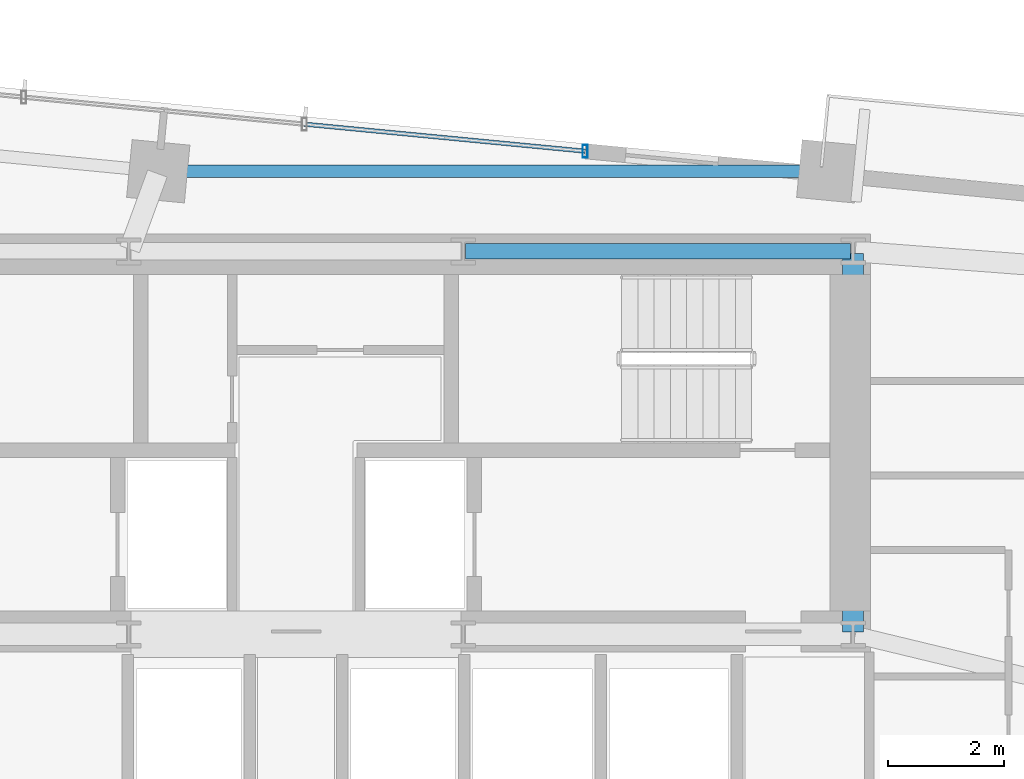
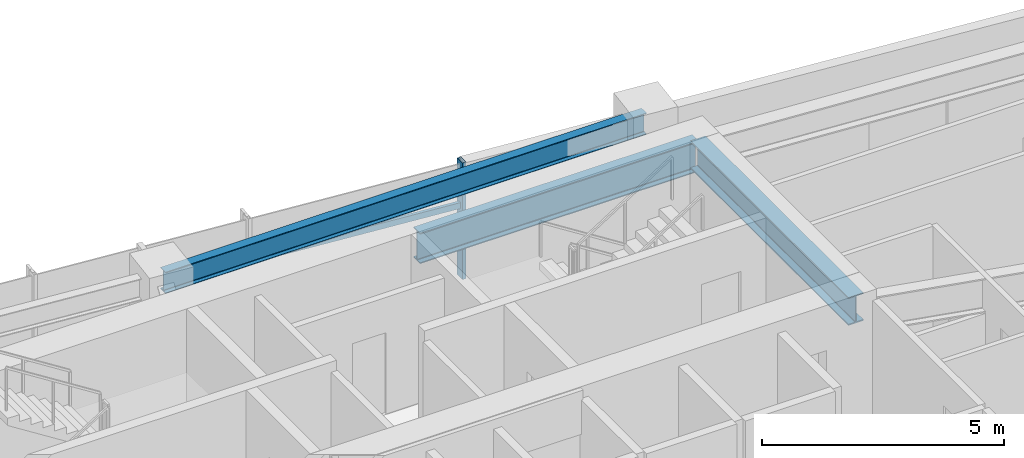
# One storey, part 12 of 20: 3 beams, 2 members, 1 element without a shape of its own.
"""IFC4 building model written with IfcOpenShell, lengths in metres."""

from ifc_helpers import new_model, si_unit, direction, frame, origin, origin_2d, place, context, subcontext, project, spatial, hollow_rectangle, i_section, extrude, source, transform, mapped, material, material_profile, profile_set, type_object, type_shapes, element, aggregate, save


model = new_model("IFC4")

# Units and contexts
model_context = context("Model", 3, precision=1e-05, world=origin(), true_north=direction((0.0, 1.0)))
body_context = subcontext(model_context, "Body", "Model", "MODEL_VIEW")
ifc_project = project(units=[si_unit("LENGTHUNIT", "METRE"), si_unit("AREAUNIT", "SQUARE_METRE"), si_unit("VOLUMEUNIT", "CUBIC_METRE"), si_unit("PLANEANGLEUNIT", "RADIAN"), si_unit("MASSUNIT", "GRAM", prefix="KILO")], contexts=[model_context])

# Site, building, storey
site_placement = place(None, origin())
site = spatial("IfcSite", under=ifc_project, at=site_placement, CompositionType="ELEMENT")
building_placement = place(site_placement, origin())
building = spatial("IfcBuilding", under=site, at=building_placement, Name="Astriad Promenade Condominiums", CompositionType="ELEMENT")
storey_placement = place(building_placement, frame((0.0, 0.0, 131.0)))
storey = spatial("IfcBuildingStorey", under=building, at=storey_placement, Name="L37", CompositionType="ELEMENT", Elevation=131.0)

# Beams
ifc_material_1 = material(Name="Steel ASTM A992 Grade 50", Category="steel")
ifc_material_profile_1 = material_profile(ifc_material_1, i_section(OverallWidth=0.267822265625, OverallDepth=0.76953125, WebThickness=0.015625, FlangeThickness=0.025390625, FilletRadius=0.021484375, at=origin_2d()), Name="W30X132")
ifc_profile_set_1 = profile_set([ifc_material_profile_1], Name="Steel ASTM A992 Grade 50")
beam_type_1 = type_object("IfcBeamType", Name="STEEL FLOOR GIRDER W30X132", PredefinedType="BEAM", material=ifc_profile_set_1)
shared_shape_1 = source(origin(), body_context, "Body", "SweptSolid", [
    extrude(i_section(OverallWidth=0.267822265625, OverallDepth=0.76953125, WebThickness=0.015625, FlangeThickness=0.025390625, FilletRadius=0.021484375, at=origin_2d()), origin(), (0.0, 0.0, 1.0), 6.64013671875),
])
type_shapes(beam_type_1, [shared_shape_1])
beam_1_placement = place(storey_placement, frame((38.919921875, 24.0, 2.55517578125), z_axis=(1.0, 0.0, 0.0), x_axis=(0.0, 1.0, 0.0)))
element("IfcBeam", 1, at=beam_1_placement, inside=storey, type_object=beam_type_1, Name="Core Ring Beam CG-N3-L37", PredefinedType="BEAM", context=body_context, shape_type="MappedRepresentation", body=[
    mapped(shared_shape_1, transform((0.0, 0.0, 0.0), scale=1.0)),
])
ifc_material_profile_2 = material_profile(ifc_material_1, i_section(OverallWidth=0.35791015625, OverallDepth=0.706298828125, WebThickness=0.018310546875, FlangeThickness=0.0302734375, FilletRadius=0.020263671875, at=origin_2d()), Name="W27X178")
ifc_profile_set_2 = profile_set([ifc_material_profile_2], Name="Steel ASTM A992 Grade 50")
beam_type_2 = type_object("IfcBeamType", Name="STEEL FLOOR GIRDER W27X178", PredefinedType="BEAM", material=ifc_profile_set_2)
shared_shape_2 = source(origin(), body_context, "Body", "SweptSolid", [
    extrude(i_section(OverallWidth=0.35791015625, OverallDepth=0.706298828125, WebThickness=0.018310546875, FlangeThickness=0.0302734375, FilletRadius=0.020263671875, at=origin_2d()), origin(), (0.0, 0.0, 1.0), 6.52001953125),
])
type_shapes(beam_type_2, [shared_shape_2])
beam_2_placement = place(storey_placement, frame((45.60009765625, 17.43994140625, 2.5869140625), z_axis=(0.0, 1.0, 0.0), x_axis=(-1.0, 0.0, 0.0)))
element("IfcBeam", 2, at=beam_2_placement, inside=storey, type_object=beam_type_2, Name="Core Ring Beam CG-E1-L37", PredefinedType="BEAM", context=body_context, shape_type="MappedRepresentation", body=[
    mapped(shared_shape_2, transform((0.0, 0.0, 0.0), scale=1.0)),
])
ifc_material_profile_3 = material_profile(ifc_material_1, i_section(OverallWidth=0.210693359375, OverallDepth=0.53955078125, WebThickness=0.01171875, FlangeThickness=0.018798828125, FilletRadius=0.0166015625, at=origin_2d()), Name="W21X73")
ifc_profile_set_3 = profile_set([ifc_material_profile_3], Name="Steel ASTM A992 Grade 50")
beam_type_3 = type_object("IfcBeamType", Name="STEEL SPANDREL BEAM W21X73", PredefinedType="SPANDREL", material=ifc_profile_set_3)
shared_shape_3 = source(origin(), body_context, "Body", "SweptSolid", [
    extrude(i_section(OverallWidth=0.210693359375, OverallDepth=0.53955078125, WebThickness=0.01171875, FlangeThickness=0.018798828125, FilletRadius=0.0166015625, at=origin_2d()), origin(), (0.0, 0.0, 1.0), 11.466552734375),
])
type_shapes(beam_type_3, [shared_shape_3])
beam_3_placement = place(storey_placement, frame((45.1328125, 25.3798828125, 2.67041015625), z_axis=(-0.999999999093, 4.258309e-05, 0.0), x_axis=(-4.258309e-05, -0.999999999093, 0.0)))
element("IfcBeam", 3, at=beam_3_placement, inside=storey, type_object=beam_type_3, Name="Perimeter Spandrel Beam SP-N3-L37", PredefinedType="SPANDREL", context=body_context, shape_type="MappedRepresentation", body=[
    mapped(shared_shape_3, transform((0.0, 0.0, 0.0), scale=1.0)),
])

# Curtain wall, members
ifc_material_2 = material(Name="Anodised aluminium Black Dark Glass Unitised", Category="aluminium")
curtain_wall_type = type_object("IfcCurtainWallType", Name="CW-B34-DARK", PredefinedType="USERDEFINED", material=ifc_material_2)
curtain_wall_placement = place(storey_placement, origin())
curtain_wall = element("IfcCurtainWall", 4, at=curtain_wall_placement, inside=storey, type_object=curtain_wall_type, Name="CW-L37-N", ObjectType="UNITISED_CURTAIN_WALL", PredefinedType="USERDEFINED")
ifc_material_3 = material(Name="Anodised aluminium 6063-T6 Black", Category="aluminium")
ifc_material_profile_4 = material_profile(ifc_material_3, hollow_rectangle(XDim=0.0849609375, YDim=0.219970703125, WallThickness=0.0048828125, at=origin_2d()), Name="ALU-MUL-85X220")
ifc_profile_set_4 = profile_set([ifc_material_profile_4], Name="Anodised aluminium 6063-T6 Black")
member_type_1 = type_object("IfcMemberType", Name="MUL-ALU-MUL-85X220", PredefinedType="MULLION", material=ifc_profile_set_4)
shared_shape_4 = source(origin(), body_context, "Body", "SweptSolid", [
    extrude(hollow_rectangle(XDim=0.0849609375, YDim=0.219970703125, WallThickness=0.0048828125, at=origin_2d()), origin(), (0.0, 0.0, 1.0), 2.93994140625),
])
type_shapes(member_type_1, [shared_shape_4])
member_1_placement = place(storey_placement, frame((40.9833984375, 25.726806640625, 0.0), z_axis=(0.0, 0.0, 1.0), x_axis=(1.0, 0.0, 0.0)))
member_1 = element("IfcMember", 5, at=member_1_placement, type_object=member_type_1, Name="CW-L37-N-MUL-03", PredefinedType="MULLION", context=body_context, shape_type="MappedRepresentation", body=[
    mapped(shared_shape_4, transform((0.0, 0.0, 0.0), scale=1.0)),
])
ifc_material_profile_5 = material_profile(ifc_material_3, hollow_rectangle(XDim=0.074951171875, YDim=0.14990234375, WallThickness=0.004150390625, at=origin_2d()), Name="ALU-TRN-75X150")
ifc_profile_set_5 = profile_set([ifc_material_profile_5], Name="Anodised aluminium 6063-T6 Black")
member_type_2 = type_object("IfcMemberType", Name="TRN-ALU-TRN-75X150", PredefinedType="USERDEFINED", material=ifc_profile_set_5)
shared_shape_5 = source(origin(), body_context, "Body", "SweptSolid", [
    extrude(hollow_rectangle(XDim=0.074951171875, YDim=0.14990234375, WallThickness=0.004150390625, at=origin_2d()), origin(), (0.0, 0.0, 1.0), 4.860107421875),
])
type_shapes(member_type_2, [shared_shape_5])
member_2_placement = place(storey_placement, frame((36.145751953125, 26.1923828125, 1.82275390625), z_axis=(0.995400834012, -0.095797597298, 0.0), x_axis=(0.095797597298, 0.995400834012, 0.0)))
member_2 = element("IfcMember", 6, at=member_2_placement, type_object=member_type_2, Name="CW-L37-N-TRN-02-0", ObjectType="TRANSOM", PredefinedType="USERDEFINED", context=body_context, shape_type="MappedRepresentation", body=[
    mapped(shared_shape_5, transform((0.0, 0.0, 0.0), scale=1.0)),
])
aggregate(curtain_wall, [member_1, member_2])

save(model, "model.ifc")
